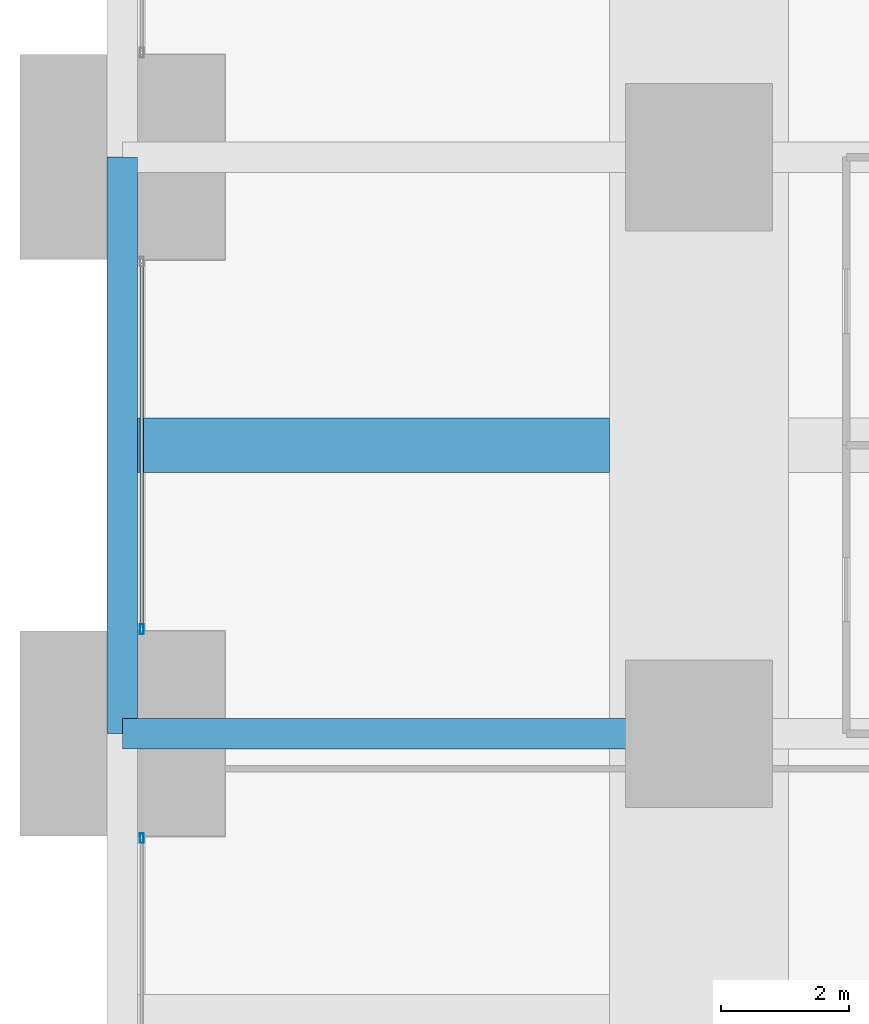
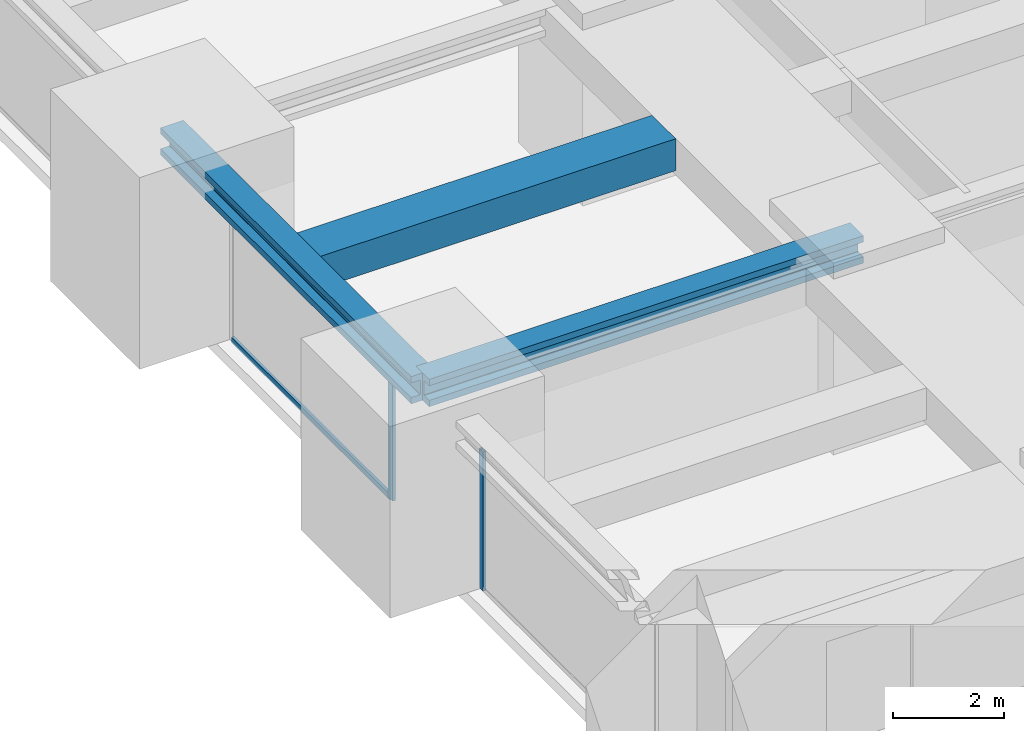
# One storey, part 10 of 39: 3 beams, 3 members, 2 elements without a shape of their own.
"""IFC4 building model written with IfcOpenShell, lengths in metres."""

from ifc_helpers import new_model, si_unit, direction, frame, origin, origin_2d, place, context, subcontext, project, spatial, rectangle, hollow_rectangle, i_section, extrude, material, material_profile, profile_set, type_object, element, aggregate, save


model = new_model("IFC4")

# Units and contexts
model_context = context("Model", 3, precision=1e-05, world=origin(), true_north=direction((0.0, 1.0)))
body_context = subcontext(model_context, "Body", "Model", "MODEL_VIEW")
ifc_project = project(units=[si_unit("LENGTHUNIT", "METRE"), si_unit("AREAUNIT", "SQUARE_METRE"), si_unit("VOLUMEUNIT", "CUBIC_METRE"), si_unit("PLANEANGLEUNIT", "RADIAN"), si_unit("MASSUNIT", "GRAM", prefix="KILO")], contexts=[model_context])

# Site, building, storey
site_placement = place(None, origin())
site = spatial("IfcSite", under=ifc_project, at=site_placement, CompositionType="ELEMENT")
building_placement = place(site_placement, origin())
building = spatial("IfcBuilding", under=site, at=building_placement, Name="Zorevar Civic Tower", CompositionType="ELEMENT")
storey_placement = place(building_placement, frame((0.0, 0.0, 230.199951171875)))
storey = spatial("IfcBuildingStorey", under=building, at=storey_placement, Name="L56", CompositionType="ELEMENT", Elevation=230.199951171875)

# Beams
ifc_material_1 = material(Name="Concrete C50/60", Category="concrete")
ifc_material_profile_1 = material_profile(ifc_material_1, rectangle(XDim=0.85009765625, YDim=0.699951171875, at=origin_2d()), Name="RC 850x700")
ifc_profile_set_1 = profile_set([ifc_material_profile_1], Name="Concrete C50/60")
beam_type_1 = type_object("IfcBeamType", Name="Beam RC 850x700", PredefinedType="BEAM", material=ifc_profile_set_1)
beam_1_placement = place(storey_placement, frame((0.238037109375, 22.5, 3.5), z_axis=(1.0, 0.0, 0.0), x_axis=(0.0, 1.0, 0.0)))
element("IfcBeam", 1, at=beam_1_placement, inside=storey, type_object=beam_type_1, Name="Secondary beam L57", PredefinedType="BEAM", context=body_context, shape_type="SweptSolid", body=[
    extrude(rectangle(XDim=0.85009765625, YDim=0.699951171875, at=origin_2d()), origin(), (0.0, 0.0, 1.0), 7.362060546875),
])
ifc_material_2 = material(Name="Steel S460M (HISTAR 460)", Category="steel")
ifc_material_profile_2 = material_profile(ifc_material_2, i_section(OverallWidth=0.47607421875, OverallDepth=0.60009765625, WebThickness=0.10009765625, FlangeThickness=0.139892578125, FilletRadius=0.014892578125, at=origin_2d()), Name="HD 400x1299")
ifc_profile_set_2 = profile_set([ifc_material_profile_2], Name="Steel S460M (HISTAR 460)")
beam_type_2 = type_object("IfcBeamType", Name="Belt chord HD 400x1299", PredefinedType="BEAM", material=ifc_profile_set_2)
beam_2_placement = place(storey_placement, frame((0.0, 18.0, 3.550048828125), z_axis=(0.0, 1.0, 0.0), x_axis=(-1.0, 0.0, 0.0)))
element("IfcBeam", 2, at=beam_2_placement, inside=storey, type_object=beam_type_2, Name="Belt chord L57", PredefinedType="BEAM", context=body_context, shape_type="SweptSolid", body=[
    extrude(i_section(OverallWidth=0.47607421875, OverallDepth=0.60009765625, WebThickness=0.10009765625, FlangeThickness=0.139892578125, FilletRadius=0.014892578125, at=origin_2d()), origin(), (0.0, 0.0, 1.0), 9.0),
])

# Curtain wall, member
ifc_material_3 = material(Name="Dark grey solar-control glass in black aluminium frame", Category="aluminium")
curtain_wall_type = type_object("IfcCurtainWallType", Name="Curtain wall CW4 high zone", PredefinedType="NOTDEFINED", material=ifc_material_3)
curtain_wall_1_placement = place(storey_placement, origin())
curtain_wall_1 = element("IfcCurtainWall", 3, at=curtain_wall_1_placement, inside=storey, type_object=curtain_wall_type, Name="CW4 L56", PredefinedType="NOTDEFINED")
ifc_material_4 = material(Name="Aluminium, black anodised", Category="aluminium")
ifc_material_profile_3 = material_profile(ifc_material_4, hollow_rectangle(XDim=0.06005859375, YDim=0.14990234375, WallThickness=0.00390625, at=origin_2d()), Name="AL 150x60x4")
ifc_profile_set_3 = profile_set([ifc_material_profile_3], Name="Aluminium, black anodised")
member_type_1 = type_object("IfcMemberType", Name="CW4 mullion AL 150x60x4", PredefinedType="MULLION", material=ifc_profile_set_3)
member_1_placement = place(storey_placement, frame((0.300048828125, 16.3701171875, 0.0), z_axis=(0.0, 0.0, 1.0), x_axis=(-1.0, 0.0, 0.0)))
member_1 = element("IfcMember", 4, at=member_1_placement, type_object=member_type_1, Name="CW4 mullion 2", PredefinedType="MULLION", context=body_context, shape_type="SweptSolid", body=[
    extrude(hollow_rectangle(XDim=0.06005859375, YDim=0.14990234375, WallThickness=0.00390625, at=origin_2d()), origin(), (0.0, 0.0, 1.0), 3.050048828125),
])
aggregate(curtain_wall_1, [member_1])

# Curtain wall, members
curtain_wall_2_placement = place(storey_placement, origin())
curtain_wall_2 = element("IfcCurtainWall", 5, at=curtain_wall_2_placement, inside=storey, type_object=curtain_wall_type, Name="CW4 L56", PredefinedType="NOTDEFINED")
member_2_placement = place(storey_placement, frame((0.300048828125, 19.6298828125, 0.0), z_axis=(0.0, 0.0, 1.0), x_axis=(-1.0, 0.0, 0.0)))
member_2 = element("IfcMember", 6, at=member_2_placement, type_object=member_type_1, Name="CW4 mullion 1", PredefinedType="MULLION", context=body_context, shape_type="SweptSolid", body=[
    extrude(hollow_rectangle(XDim=0.06005859375, YDim=0.14990234375, WallThickness=0.00390625, at=origin_2d()), origin(), (0.0, 0.0, 1.0), 3.050048828125),
])
ifc_material_5 = material(Name="Aluminium, black anodised", Category="aluminium")
ifc_material_profile_4 = material_profile(ifc_material_5, hollow_rectangle(XDim=0.06005859375, YDim=0.1201171875, WallThickness=0.0029296875, at=origin_2d()), Name="AL 120x60x3")
ifc_profile_set_4 = profile_set([ifc_material_profile_4], Name="Aluminium, black anodised")
member_type_2 = type_object("IfcMemberType", Name="CW4 transom AL 120x60x3", PredefinedType="USERDEFINED", material=ifc_profile_set_4)
member_3_placement = place(storey_placement, frame((0.300048828125, 19.659912109375, 0.030029296875), z_axis=(0.0, 1.0, 0.0), x_axis=(-1.0, 0.0, 0.0)))
member_3 = element("IfcMember", 7, at=member_3_placement, type_object=member_type_2, Name="CW4 sill transom", ObjectType="TRANSOM", PredefinedType="USERDEFINED", context=body_context, shape_type="SweptSolid", body=[
    extrude(hollow_rectangle(XDim=0.06005859375, YDim=0.1201171875, WallThickness=0.0029296875, at=origin_2d()), origin(), (0.0, 0.0, 1.0), 5.68017578125),
])
aggregate(curtain_wall_2, [member_2, member_3])

# Beam
ifc_material_6 = material(Name="Steel S460M (HISTAR 460)", Category="steel")
ifc_material_profile_5 = material_profile(ifc_material_6, i_section(OverallWidth=0.47607421875, OverallDepth=0.60009765625, WebThickness=0.10009765625, FlangeThickness=0.139892578125, FilletRadius=0.014892578125, at=origin_2d()), Name="HD 400x1299")
ifc_profile_set_5 = profile_set([ifc_material_profile_5], Name="Steel S460M (HISTAR 460)")
beam_type_3 = type_object("IfcBeamType", Name="Outrigger chord HD 400x1299", PredefinedType="BEAM", material=ifc_profile_set_5)
beam_3_placement = place(storey_placement, frame((0.0, 18.0, 3.550048828125), z_axis=(1.0, 0.0, 0.0), x_axis=(0.0, 1.0, 0.0)))
element("IfcBeam", 8, at=beam_3_placement, inside=storey, type_object=beam_type_3, Name="Outrigger chord L57", PredefinedType="BEAM", context=body_context, shape_type="SweptSolid", body=[
    extrude(i_section(OverallWidth=0.47607421875, OverallDepth=0.60009765625, WebThickness=0.10009765625, FlangeThickness=0.139892578125, FilletRadius=0.014892578125, at=origin_2d()), origin(), (0.0, 0.0, 1.0), 9.0),
])

save(model, "model.ifc")
